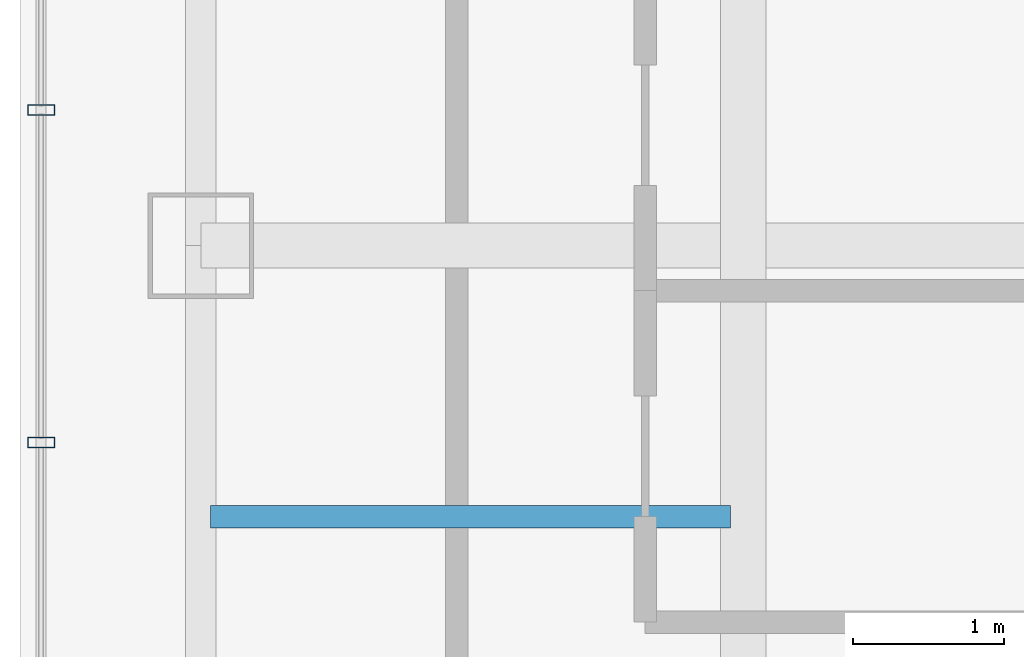
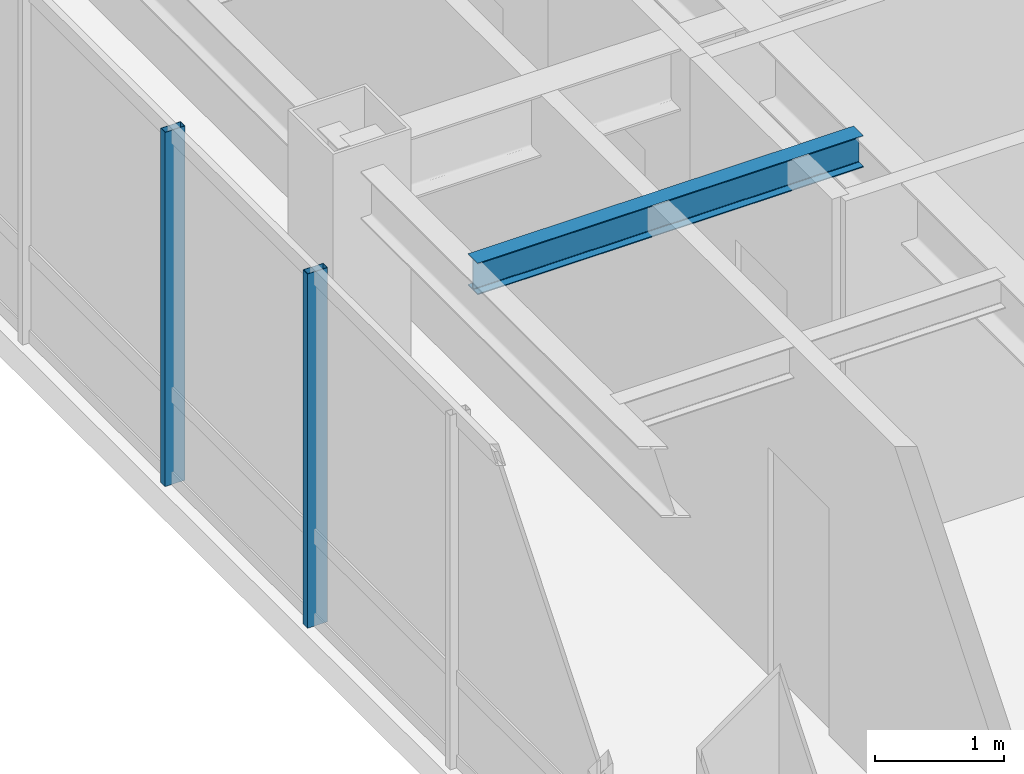
# One storey, part 6 of 25: 2 members, 1 beam, 1 element without a shape of its own.
"""IFC4 building model written with IfcOpenShell, lengths in metres."""

import ifcopenshell
import ifcopenshell.guid

model = None  # the IFC model being written
_history = None  # IfcOwnerHistory: only IFC2X3 demands one
_inside = {}  # id of a spatial element -> (the spatial element, [elements in it])
_under = {}  # id of a project, library or spatial element -> (it, [spatial elements below it])
_declared = {}  # id of a project -> (the project, [libraries it declares])
_typed = {}  # id of a type object -> (the type object, [elements of that type])
_made_of = {}  # id of a material, layer set ... -> (it, [elements and type objects made of it])


def new_model(schema):
    """Start an empty IFC model of exactly this schema.

    Asked for "IFC4X3", IfcOpenShell would pick the latest addendum, in which some entities
    have other attributes; the version numbers below select the first issue.
    IFC2X3 requires an IfcOwnerHistory on every rooted entity: one is made here for all.
    """
    global model, _history
    if schema == "IFC4X3":
        model = ifcopenshell.file(schema_version=(4, 3, 0, 0))
    else:
        model = ifcopenshell.file(schema=schema)
    _inside.clear()
    _under.clear()
    _declared.clear()
    _typed.clear()
    _made_of.clear()
    _history = None
    if model.schema == "IFC2X3":
        org = make("IfcOrganization", Name="unknown")
        user = make(
            "IfcPersonAndOrganization",
            ThePerson=make("IfcPerson", FamilyName="unknown"),
            TheOrganization=org,
        )
        app = make(
            "IfcApplication",
            ApplicationDeveloper=org,
            Version="unknown",
            ApplicationFullName="unknown",
            ApplicationIdentifier="unknown",
        )
        _history = make(
            "IfcOwnerHistory",
            OwningUser=user,
            OwningApplication=app,
            ChangeAction="ADDED",
            CreationDate=0,
        )
    return model


def make(cls, **values):
    """One entity of the class cls with the attributes given. An attribute that is None is left unset."""
    return model.create_entity(
        cls, **{name: value for name, value in values.items() if value is not None}
    )


def rooted(cls, **values):
    """An entity with a GlobalId (a new one), such as an element, a storey or a relation."""
    return make(cls, GlobalId=ifcopenshell.guid.new(), OwnerHistory=_history, **values)


def si_unit(unit_type, name, prefix=None):
    """IfcSIUnit, for example si_unit("LENGTHUNIT", "METRE", prefix="MILLI")."""
    return make("IfcSIUnit", UnitType=unit_type, Prefix=prefix, Name=name)


def assignment(units):
    """IfcUnitAssignment: the units of a project."""
    return None if units is None else make("IfcUnitAssignment", Units=units)


def point(xyz):
    """IfcCartesianPoint."""
    return None if xyz is None else make("IfcCartesianPoint", Coordinates=xyz)


def direction(xyz):
    """IfcDirection."""
    return None if xyz is None else make("IfcDirection", DirectionRatios=xyz)


def frame(location, z_axis=None, x_axis=None):
    """IfcAxis2Placement3D, a coordinate frame: its origin and axes. An axis left out is left unset."""
    return make(
        "IfcAxis2Placement3D",
        Location=point(location),
        Axis=direction(z_axis),
        RefDirection=direction(x_axis),
    )


def frame_2d(location, x_axis=None):
    """IfcAxis2Placement2D, a coordinate frame in the plane: its origin and x axis."""
    return make(
        "IfcAxis2Placement2D", Location=point(location), RefDirection=direction(x_axis)
    )


def origin():
    """The frame at (0, 0, 0) with its axes left unset."""
    return frame((0.0, 0.0, 0.0))


def origin_2d():
    """The frame at (0, 0) in the plane with its x axis left unset."""
    return frame_2d((0.0, 0.0))


def place(relative_to, where):
    """IfcLocalPlacement: puts the frame where relative to a parent placement (None: the world)."""
    return make(
        "IfcLocalPlacement", PlacementRelTo=relative_to, RelativePlacement=where
    )


def context(
    kind, dimensions, precision=None, world=None, true_north=None, identifier=None
):
    """IfcGeometricRepresentationContext, for example the 3D "Model" context."""
    return make(
        "IfcGeometricRepresentationContext",
        ContextIdentifier=identifier,
        ContextType=kind,
        CoordinateSpaceDimension=dimensions,
        Precision=precision,
        WorldCoordinateSystem=world,
        TrueNorth=true_north,
    )


def subcontext(parent, identifier, kind, view, scale=None):
    """IfcGeometricRepresentationSubContext, for example "Body" below "Model"."""
    return make(
        "IfcGeometricRepresentationSubContext",
        ContextIdentifier=identifier,
        ContextType=kind,
        ParentContext=parent,
        TargetScale=scale,
        TargetView=view,
    )


def project(units=None, contexts=None):
    """IfcProject with its units and contexts."""
    return rooted(
        "IfcProject",
        Name="project",
        RepresentationContexts=contexts,
        UnitsInContext=assignment(units),
    )


def spatial(cls, under=None, at=None, **own):
    """A site, building, storey or space (cls), placed at a placement, below another one or the project."""
    s = rooted(cls, ObjectPlacement=at, **own)
    if under is not None:
        _under.setdefault(under.id(), (under, []))[1].append(s)
    return s


def profile(cls, at=None, kind="AREA", **sizes):
    """A parametric profile (cls). Its sizes go by their IFC names, for example OverallWidth=200.0."""
    return make(cls, ProfileType=kind, Position=at, **sizes)


def hollow_rectangle(**sizes):
    """IfcRectangleHollowProfileDef."""
    return profile("IfcRectangleHollowProfileDef", **sizes)


def i_section(**sizes):
    """IfcIShapeProfileDef."""
    return profile("IfcIShapeProfileDef", **sizes)


def extrude(swept, where, along, depth):
    """IfcExtrudedAreaSolid: the profile swept, set in the frame where, extruded along a direction by depth."""
    return make(
        "IfcExtrudedAreaSolid",
        SweptArea=swept,
        Position=where,
        ExtrudedDirection=direction(along),
        Depth=depth,
    )


def shape(context_of_items, identifier, shape_type, items):
    """IfcShapeRepresentation: the items that make up one representation, for example the "Body"."""
    return make(
        "IfcShapeRepresentation",
        ContextOfItems=context_of_items,
        RepresentationIdentifier=identifier,
        RepresentationType=shape_type,
        Items=items,
    )


def material(Name=None, Category=None):
    """IfcMaterial."""
    return make("IfcMaterial", Name=Name, Category=Category)


def layer(
    of_material, thickness, ventilated=None, Name=None, Category=None, Priority=None
):
    """IfcMaterialLayer: one layer of a wall or slab, of a material (None: an air gap)."""
    return make(
        "IfcMaterialLayer",
        Material=of_material,
        LayerThickness=thickness,
        IsVentilated=ventilated,
        Name=Name,
        Category=Category,
        Priority=Priority,
    )


def layer_set(layers, Name=None):
    """IfcMaterialLayerSet."""
    return make("IfcMaterialLayerSet", MaterialLayers=layers, LayerSetName=Name)


def material_profile(
    of_material, cross_section, Name=None, Category=None, Priority=None
):
    """IfcMaterialProfile: a cross section and its material."""
    return make(
        "IfcMaterialProfile",
        Name=Name,
        Material=of_material,
        Profile=cross_section,
        Priority=Priority,
        Category=Category,
    )


def profile_set(profiles, Name=None, composite=None):
    """IfcMaterialProfileSet."""
    return make(
        "IfcMaterialProfileSet",
        Name=Name,
        MaterialProfiles=profiles,
        CompositeProfile=composite,
    )


def made_of(thing, what):
    """Note that an element or type object is made of a material, layer set ...; save() writes the relation."""
    if what is not None:
        _made_of.setdefault(what.id(), (what, []))[1].append(thing)
    return thing


def type_object(cls, material=None, **own):
    """A type object (cls), such as IfcWallType, which elements share."""
    return made_of(rooted(cls, **own), material)


def element(
    cls,
    number,
    at=None,
    inside=None,
    cuts=None,
    type_object=None,
    material=None,
    context=None,
    identifier="Body",
    shape_type=None,
    held_by="IfcProductDefinitionShape",
    body=None,
    shapes=None,
    **own,
):
    """One element of the class cls, such as IfcWall. Its Tag is "e" and its number.

    at: its placement. inside: the storey or other place that contains it. cuts: it is an
    opening in that element (IfcRelVoidsElement). A single representation is given by context,
    identifier, shape_type and body (its items); several are given by shapes. held_by: the class
    of the entity that holds the representations. save() writes the other relations.
    """
    e = rooted(cls, Tag="e%d" % number, ObjectPlacement=at, **own)
    if body is not None:
        shapes = [shape(context, identifier, shape_type, body)]
    if shapes is not None:
        e.Representation = make(held_by, Representations=shapes)
    if inside is not None:
        _inside.setdefault(inside.id(), (inside, []))[1].append(e)
    if cuts is not None:
        rooted(
            "IfcRelVoidsElement", RelatingBuildingElement=cuts, RelatedOpeningElement=e
        )
    if type_object is not None:
        _typed.setdefault(type_object.id(), (type_object, []))[1].append(e)
    return made_of(e, material)


def aggregate(whole, parts):
    """IfcRelAggregates: a whole, such as a stair, and the parts it consists of."""
    return rooted("IfcRelAggregates", RelatingObject=whole, RelatedObjects=parts)


def save(model, path):
    """Write the relations noted so far, then the file.

    IfcRelAggregates (storeys below a building ...), IfcRelContainedInSpatialStructure (elements
    in a storey), IfcRelDefinesByType, IfcRelAssociatesMaterial and IfcRelDeclares: one each for
    every whole, place, type object, material and project.
    """
    for whole, parts in _under.values():
        aggregate(whole, parts)
    for where, things in _inside.values():
        rooted(
            "IfcRelContainedInSpatialStructure",
            RelatedElements=things,
            RelatingStructure=where,
        )
    for kind, things in _typed.values():
        rooted("IfcRelDefinesByType", RelatedObjects=things, RelatingType=kind)
    for what, things in _made_of.values():
        rooted("IfcRelAssociatesMaterial", RelatedObjects=things, RelatingMaterial=what)
    for by, libraries in _declared.values():
        rooted("IfcRelDeclares", RelatingContext=by, RelatedDefinitions=libraries)
    model.write(path)


model = new_model("IFC4")

# Units and contexts
model_context = context("Model", 3, precision=1e-05, world=origin(), true_north=direction((0.0, 1.0)))
body_context = subcontext(model_context, "Body", "Model", "MODEL_VIEW")
ifc_project = project(units=[si_unit("LENGTHUNIT", "METRE"), si_unit("AREAUNIT", "SQUARE_METRE"), si_unit("VOLUMEUNIT", "CUBIC_METRE"), si_unit("PLANEANGLEUNIT", "RADIAN"), si_unit("MASSUNIT", "GRAM", prefix="KILO")], contexts=[model_context])

# Site, building, storey
site_placement = place(None, origin())
site = spatial("IfcSite", under=ifc_project, at=site_placement, CompositionType="ELEMENT")
building_placement = place(site_placement, origin())
building = spatial("IfcBuilding", under=site, at=building_placement, Name="Hatsunagi Terrace Concourse", CompositionType="ELEMENT")
storey_placement = place(building_placement, frame((0.0, 0.0, 205.949951171875)))
storey = spatial("IfcBuildingStorey", under=building, at=storey_placement, Name="L54", CompositionType="ELEMENT", Elevation=205.949951171875)

# Curtain wall, members
ifc_material_1 = material(Name="Anodised Aluminium Alloy 6063-T5", Category="aluminium")
ifc_layer = layer(ifc_material_1, 0.199951171875)
ifc_layer_set = layer_set([ifc_layer], Name="OfficeZone2_CW04")
curtain_wall_type = type_object("IfcCurtainWallType", Name="OfficeZone2_CW04", PredefinedType="NOTDEFINED", material=ifc_layer_set)
curtain_wall_placement = place(storey_placement, origin())
curtain_wall = element("IfcCurtainWall", 1, at=curtain_wall_placement, inside=storey, type_object=curtain_wall_type, Name="Unitised Curtain Wall CW-04 CW-L54-08", PredefinedType="NOTDEFINED")
ifc_material_2 = material(Name="Anodised Aluminium Alloy 6063-T5", Category="aluminium")
ifc_material_profile_1 = material_profile(ifc_material_2, hollow_rectangle(XDim=0.070068359375, YDim=0.179931640625, WallThickness=0.00390625, at=origin_2d()), Name="ALU-MUL-180x70x4")
ifc_profile_set_1 = profile_set([ifc_material_profile_1], Name="Anodised Aluminium Alloy 6063-T5")
member_type = type_object("IfcMemberType", Name="CurtainWallMullion_180x70", PredefinedType="MULLION", material=ifc_profile_set_1)
member_1_placement = place(storey_placement, frame((18.139892578125, 34.69189453125, 0.0), z_axis=(0.0, 0.0, 1.0), x_axis=(0.0, 1.0, 0.0)))
member_1 = element("IfcMember", 2, at=member_1_placement, type_object=member_type, Name="Curtain Wall Mullion MUL-02", PredefinedType="MULLION", context=body_context, shape_type="SweptSolid", body=[
    extrude(hollow_rectangle(XDim=0.070068359375, YDim=0.179931640625, WallThickness=0.00390625, at=origin_2d()), origin(), (0.0, 0.0, 1.0), 3.35009765625),
])
member_2_placement = place(storey_placement, frame((18.139892578125, 36.89990234375, 0.0), z_axis=(0.0, 0.0, 1.0), x_axis=(0.0, 1.0, 0.0)))
member_2 = element("IfcMember", 3, at=member_2_placement, type_object=member_type, Name="Curtain Wall Mullion MUL-02", PredefinedType="MULLION", context=body_context, shape_type="SweptSolid", body=[
    extrude(hollow_rectangle(XDim=0.070068359375, YDim=0.179931640625, WallThickness=0.00390625, at=origin_2d()), origin(), (0.0, 0.0, 1.0), 3.35009765625),
])
aggregate(curtain_wall, [member_1, member_2])

# Beam
ifc_material_3 = material(Name="Steel SN490B", Category="steel")
ifc_material_profile_2 = material_profile(ifc_material_3, i_section(OverallWidth=0.14990234375, OverallDepth=0.300048828125, WebThickness=0.006591796875, FlangeThickness=0.009033203125, FilletRadius=0.010986328125, at=origin_2d()), Name="H-300x150x6.5x9")
ifc_profile_set_2 = profile_set([ifc_material_profile_2], Name="Steel SN490B")
beam_type = type_object("IfcBeamType", Name="OfficeJoist_H_300x150", PredefinedType="JOIST", material=ifc_profile_set_2)
beam_placement = place(storey_placement, frame((19.264892578125, 34.199951171875, 3.199951171875), z_axis=(1.0, 0.0, 0.0), x_axis=(0.0, 1.0, 0.0)))
element("IfcBeam", 4, at=beam_placement, inside=storey, type_object=beam_type, Name="Beam J-03 J-L54-W-19-342", PredefinedType="JOIST", context=body_context, shape_type="SweptSolid", body=[
    extrude(i_section(OverallWidth=0.14990234375, OverallDepth=0.300048828125, WebThickness=0.006591796875, FlangeThickness=0.009033203125, FilletRadius=0.010986328125, at=origin_2d()), origin(), (0.0, 0.0, 1.0), 3.4501953125),
])

save(model, "model.ifc")
